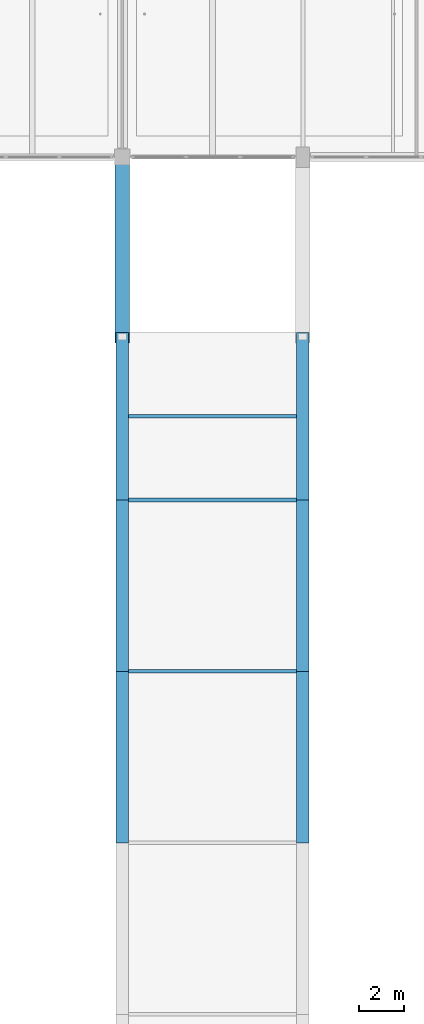
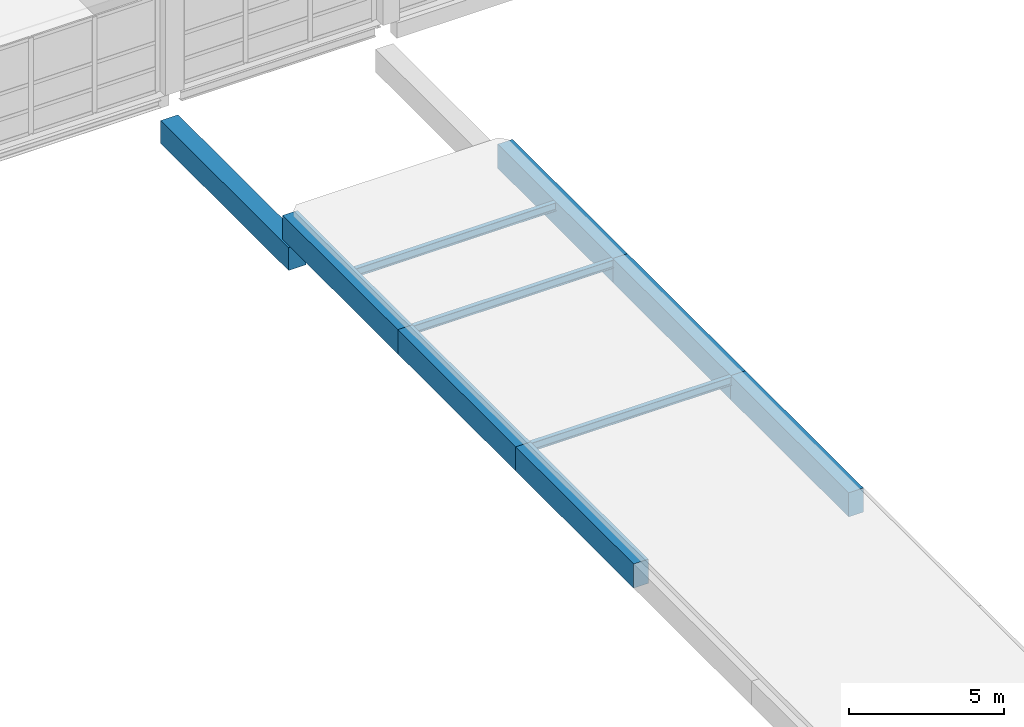
# One storey, part 50 of 107: 10 beams.
"""IFC4 building model written with IfcOpenShell, lengths in metres."""

import ifcopenshell
import ifcopenshell.guid

model = None  # the IFC model being written
_history = None  # IfcOwnerHistory: only IFC2X3 demands one
_inside = {}  # id of a spatial element -> (the spatial element, [elements in it])
_under = {}  # id of a project, library or spatial element -> (it, [spatial elements below it])
_declared = {}  # id of a project -> (the project, [libraries it declares])
_typed = {}  # id of a type object -> (the type object, [elements of that type])
_made_of = {}  # id of a material, layer set ... -> (it, [elements and type objects made of it])


def new_model(schema):
    """Start an empty IFC model of exactly this schema.

    Asked for "IFC4X3", IfcOpenShell would pick the latest addendum, in which some entities
    have other attributes; the version numbers below select the first issue.
    IFC2X3 requires an IfcOwnerHistory on every rooted entity: one is made here for all.
    """
    global model, _history
    if schema == "IFC4X3":
        model = ifcopenshell.file(schema_version=(4, 3, 0, 0))
    else:
        model = ifcopenshell.file(schema=schema)
    _inside.clear()
    _under.clear()
    _declared.clear()
    _typed.clear()
    _made_of.clear()
    _history = None
    if model.schema == "IFC2X3":
        org = make("IfcOrganization", Name="unknown")
        user = make(
            "IfcPersonAndOrganization",
            ThePerson=make("IfcPerson", FamilyName="unknown"),
            TheOrganization=org,
        )
        app = make(
            "IfcApplication",
            ApplicationDeveloper=org,
            Version="unknown",
            ApplicationFullName="unknown",
            ApplicationIdentifier="unknown",
        )
        _history = make(
            "IfcOwnerHistory",
            OwningUser=user,
            OwningApplication=app,
            ChangeAction="ADDED",
            CreationDate=0,
        )
    return model


def make(cls, **values):
    """One entity of the class cls with the attributes given. An attribute that is None is left unset."""
    return model.create_entity(
        cls, **{name: value for name, value in values.items() if value is not None}
    )


def rooted(cls, **values):
    """An entity with a GlobalId (a new one), such as an element, a storey or a relation."""
    return make(cls, GlobalId=ifcopenshell.guid.new(), OwnerHistory=_history, **values)


def si_unit(unit_type, name, prefix=None):
    """IfcSIUnit, for example si_unit("LENGTHUNIT", "METRE", prefix="MILLI")."""
    return make("IfcSIUnit", UnitType=unit_type, Prefix=prefix, Name=name)


def assignment(units):
    """IfcUnitAssignment: the units of a project."""
    return None if units is None else make("IfcUnitAssignment", Units=units)


def point(xyz):
    """IfcCartesianPoint."""
    return None if xyz is None else make("IfcCartesianPoint", Coordinates=xyz)


def direction(xyz):
    """IfcDirection."""
    return None if xyz is None else make("IfcDirection", DirectionRatios=xyz)


def frame(location, z_axis=None, x_axis=None):
    """IfcAxis2Placement3D, a coordinate frame: its origin and axes. An axis left out is left unset."""
    return make(
        "IfcAxis2Placement3D",
        Location=point(location),
        Axis=direction(z_axis),
        RefDirection=direction(x_axis),
    )


def frame_2d(location, x_axis=None):
    """IfcAxis2Placement2D, a coordinate frame in the plane: its origin and x axis."""
    return make(
        "IfcAxis2Placement2D", Location=point(location), RefDirection=direction(x_axis)
    )


def origin():
    """The frame at (0, 0, 0) with its axes left unset."""
    return frame((0.0, 0.0, 0.0))


def origin_2d():
    """The frame at (0, 0) in the plane with its x axis left unset."""
    return frame_2d((0.0, 0.0))


def place(relative_to, where):
    """IfcLocalPlacement: puts the frame where relative to a parent placement (None: the world)."""
    return make(
        "IfcLocalPlacement", PlacementRelTo=relative_to, RelativePlacement=where
    )


def context(
    kind, dimensions, precision=None, world=None, true_north=None, identifier=None
):
    """IfcGeometricRepresentationContext, for example the 3D "Model" context."""
    return make(
        "IfcGeometricRepresentationContext",
        ContextIdentifier=identifier,
        ContextType=kind,
        CoordinateSpaceDimension=dimensions,
        Precision=precision,
        WorldCoordinateSystem=world,
        TrueNorth=true_north,
    )


def subcontext(parent, identifier, kind, view, scale=None):
    """IfcGeometricRepresentationSubContext, for example "Body" below "Model"."""
    return make(
        "IfcGeometricRepresentationSubContext",
        ContextIdentifier=identifier,
        ContextType=kind,
        ParentContext=parent,
        TargetScale=scale,
        TargetView=view,
    )


def project(units=None, contexts=None):
    """IfcProject with its units and contexts."""
    return rooted(
        "IfcProject",
        Name="project",
        RepresentationContexts=contexts,
        UnitsInContext=assignment(units),
    )


def spatial(cls, under=None, at=None, **own):
    """A site, building, storey or space (cls), placed at a placement, below another one or the project."""
    s = rooted(cls, ObjectPlacement=at, **own)
    if under is not None:
        _under.setdefault(under.id(), (under, []))[1].append(s)
    return s


def profile(cls, at=None, kind="AREA", **sizes):
    """A parametric profile (cls). Its sizes go by their IFC names, for example OverallWidth=200.0."""
    return make(cls, ProfileType=kind, Position=at, **sizes)


def rectangle(**sizes):
    """IfcRectangleProfileDef."""
    return profile("IfcRectangleProfileDef", **sizes)


def i_section(**sizes):
    """IfcIShapeProfileDef."""
    return profile("IfcIShapeProfileDef", **sizes)


def extrude(swept, where, along, depth):
    """IfcExtrudedAreaSolid: the profile swept, set in the frame where, extruded along a direction by depth."""
    return make(
        "IfcExtrudedAreaSolid",
        SweptArea=swept,
        Position=where,
        ExtrudedDirection=direction(along),
        Depth=depth,
    )


def shape(context_of_items, identifier, shape_type, items):
    """IfcShapeRepresentation: the items that make up one representation, for example the "Body"."""
    return make(
        "IfcShapeRepresentation",
        ContextOfItems=context_of_items,
        RepresentationIdentifier=identifier,
        RepresentationType=shape_type,
        Items=items,
    )


def material(Name=None, Category=None):
    """IfcMaterial."""
    return make("IfcMaterial", Name=Name, Category=Category)


def material_profile(
    of_material, cross_section, Name=None, Category=None, Priority=None
):
    """IfcMaterialProfile: a cross section and its material."""
    return make(
        "IfcMaterialProfile",
        Name=Name,
        Material=of_material,
        Profile=cross_section,
        Priority=Priority,
        Category=Category,
    )


def profile_set(profiles, Name=None, composite=None):
    """IfcMaterialProfileSet."""
    return make(
        "IfcMaterialProfileSet",
        Name=Name,
        MaterialProfiles=profiles,
        CompositeProfile=composite,
    )


def made_of(thing, what):
    """Note that an element or type object is made of a material, layer set ...; save() writes the relation."""
    if what is not None:
        _made_of.setdefault(what.id(), (what, []))[1].append(thing)
    return thing


def type_object(cls, material=None, **own):
    """A type object (cls), such as IfcWallType, which elements share."""
    return made_of(rooted(cls, **own), material)


def element(
    cls,
    number,
    at=None,
    inside=None,
    cuts=None,
    type_object=None,
    material=None,
    context=None,
    identifier="Body",
    shape_type=None,
    held_by="IfcProductDefinitionShape",
    body=None,
    shapes=None,
    **own,
):
    """One element of the class cls, such as IfcWall. Its Tag is "e" and its number.

    at: its placement. inside: the storey or other place that contains it. cuts: it is an
    opening in that element (IfcRelVoidsElement). A single representation is given by context,
    identifier, shape_type and body (its items); several are given by shapes. held_by: the class
    of the entity that holds the representations. save() writes the other relations.
    """
    e = rooted(cls, Tag="e%d" % number, ObjectPlacement=at, **own)
    if body is not None:
        shapes = [shape(context, identifier, shape_type, body)]
    if shapes is not None:
        e.Representation = make(held_by, Representations=shapes)
    if inside is not None:
        _inside.setdefault(inside.id(), (inside, []))[1].append(e)
    if cuts is not None:
        rooted(
            "IfcRelVoidsElement", RelatingBuildingElement=cuts, RelatedOpeningElement=e
        )
    if type_object is not None:
        _typed.setdefault(type_object.id(), (type_object, []))[1].append(e)
    return made_of(e, material)


def aggregate(whole, parts):
    """IfcRelAggregates: a whole, such as a stair, and the parts it consists of."""
    return rooted("IfcRelAggregates", RelatingObject=whole, RelatedObjects=parts)


def save(model, path):
    """Write the relations noted so far, then the file.

    IfcRelAggregates (storeys below a building ...), IfcRelContainedInSpatialStructure (elements
    in a storey), IfcRelDefinesByType, IfcRelAssociatesMaterial and IfcRelDeclares: one each for
    every whole, place, type object, material and project.
    """
    for whole, parts in _under.values():
        aggregate(whole, parts)
    for where, things in _inside.values():
        rooted(
            "IfcRelContainedInSpatialStructure",
            RelatedElements=things,
            RelatingStructure=where,
        )
    for kind, things in _typed.values():
        rooted("IfcRelDefinesByType", RelatedObjects=things, RelatingType=kind)
    for what, things in _made_of.values():
        rooted("IfcRelAssociatesMaterial", RelatedObjects=things, RelatingMaterial=what)
    for by, libraries in _declared.values():
        rooted("IfcRelDeclares", RelatingContext=by, RelatedDefinitions=libraries)
    model.write(path)


model = new_model("IFC4")

# Units and contexts
model_context = context("Model", 3, precision=1e-05, world=origin(), true_north=direction((0.0, 1.0)))
body_context = subcontext(model_context, "Body", "Model", "MODEL_VIEW")
ifc_project = project(units=[si_unit("LENGTHUNIT", "METRE"), si_unit("AREAUNIT", "SQUARE_METRE"), si_unit("VOLUMEUNIT", "CUBIC_METRE"), si_unit("PLANEANGLEUNIT", "RADIAN"), si_unit("MASSUNIT", "GRAM", prefix="KILO")], contexts=[model_context])

# Site, building, storey
site_placement = place(None, origin())
site = spatial("IfcSite", under=ifc_project, at=site_placement, CompositionType="ELEMENT")
building_placement = place(site_placement, origin())
building = spatial("IfcBuilding", under=site, at=building_placement, Name="Khelvaren Railside Concert Hall", CompositionType="ELEMENT")
storey_placement = place(building_placement, frame((0.0, 0.0, 15.0)))
storey = spatial("IfcBuildingStorey", under=building, at=storey_placement, Name="L03", CompositionType="ELEMENT", Elevation=15.0)

# Beams
ifc_material_1 = material(Name="Concrete C40/50", Category="concrete")
ifc_material_profile_1 = material_profile(ifc_material_1, rectangle(XDim=0.64990234375, YDim=0.89990234375, at=origin_2d()), Name="RCB 650x900")
ifc_profile_set_1 = profile_set([ifc_material_profile_1], Name="Concrete C40/50")
beam_type_1 = type_object("IfcBeamType", Name="BM18", PredefinedType="BEAM", material=ifc_profile_set_1)
beam_1_placement = place(storey_placement, frame((160.0, 82.949951171875, -1.639892578125), z_axis=(0.0, 1.0, 0.0), x_axis=(-1.0, 0.0, 0.0)))
element("IfcBeam", 1, at=beam_1_placement, inside=storey, type_object=beam_type_1, Name="East Backstage Artist Link Bridge L03 Seismic Corbel Seat 1", PredefinedType="BEAM", context=body_context, shape_type="SweptSolid", body=[
    extrude(rectangle(XDim=0.64990234375, YDim=0.89990234375, at=origin_2d()), origin(), (0.0, 0.0, 1.0), 8.25),
])
ifc_material_profile_2 = material_profile(ifc_material_1, rectangle(XDim=0.550048828125, YDim=0.949951171875, at=origin_2d()), Name="RCB 550x950")
ifc_profile_set_2 = profile_set([ifc_material_profile_2], Name="Concrete C40/50")
beam_type_2 = type_object("IfcBeamType", Name="GR75", PredefinedType="T_BEAM", material=ifc_profile_set_2)
beam_2_placement = place(storey_placement, frame((160.0, 60.800048828125, -0.695068359375), z_axis=(0.0, 1.0, 0.0), x_axis=(-1.0, 0.0, 0.0)))
element("IfcBeam", 2, at=beam_2_placement, inside=storey, type_object=beam_type_2, Name="East Backstage Artist Link Bridge L03 Bridge Girder 1.4", PredefinedType="T_BEAM", context=body_context, shape_type="SweptSolid", body=[
    extrude(rectangle(XDim=0.550048828125, YDim=0.949951171875, at=origin_2d()), origin(), (0.0, 0.0, 1.0), 7.599853515625),
])
beam_3_placement = place(storey_placement, frame((160.0, 68.39990234375, -0.695068359375), z_axis=(0.0, 1.0, 0.0), x_axis=(-1.0, 0.0, 0.0)))
element("IfcBeam", 3, at=beam_3_placement, inside=storey, type_object=beam_type_2, Name="East Backstage Artist Link Bridge L03 Bridge Girder 1.5", PredefinedType="T_BEAM", context=body_context, shape_type="SweptSolid", body=[
    extrude(rectangle(XDim=0.550048828125, YDim=0.949951171875, at=origin_2d()), origin(), (0.0, 0.0, 1.0), 7.60009765625),
])
beam_4_placement = place(storey_placement, frame((160.0, 76.0, -0.695068359375), z_axis=(0.0, 1.0, 0.0), x_axis=(-1.0, 0.0, 0.0)))
element("IfcBeam", 4, at=beam_4_placement, inside=storey, type_object=beam_type_2, Name="East Backstage Artist Link Bridge L03 Bridge Girder 1.6", PredefinedType="T_BEAM", context=body_context, shape_type="SweptSolid", body=[
    extrude(rectangle(XDim=0.550048828125, YDim=0.949951171875, at=origin_2d()), origin(), (0.0, 0.0, 1.0), 7.419921875),
])
beam_5_placement = place(storey_placement, frame((168.0, 60.800048828125, -0.695068359375), z_axis=(0.0, 1.0, 0.0), x_axis=(-1.0, 0.0, 0.0)))
element("IfcBeam", 5, at=beam_5_placement, inside=storey, type_object=beam_type_2, Name="East Backstage Artist Link Bridge L03 Bridge Girder 2.4", PredefinedType="T_BEAM", context=body_context, shape_type="SweptSolid", body=[
    extrude(rectangle(XDim=0.550048828125, YDim=0.949951171875, at=origin_2d()), origin(), (0.0, 0.0, 1.0), 7.599853515625),
])
beam_6_placement = place(storey_placement, frame((168.0, 68.39990234375, -0.695068359375), z_axis=(0.0, 1.0, 0.0), x_axis=(-1.0, 0.0, 0.0)))
element("IfcBeam", 6, at=beam_6_placement, inside=storey, type_object=beam_type_2, Name="East Backstage Artist Link Bridge L03 Bridge Girder 2.5", PredefinedType="T_BEAM", context=body_context, shape_type="SweptSolid", body=[
    extrude(rectangle(XDim=0.550048828125, YDim=0.949951171875, at=origin_2d()), origin(), (0.0, 0.0, 1.0), 7.60009765625),
])
beam_7_placement = place(storey_placement, frame((168.0, 76.0, -0.695068359375), z_axis=(0.0, 1.0, 0.0), x_axis=(-1.0, 0.0, 0.0)))
element("IfcBeam", 7, at=beam_7_placement, inside=storey, type_object=beam_type_2, Name="East Backstage Artist Link Bridge L03 Bridge Girder 2.6", PredefinedType="T_BEAM", context=body_context, shape_type="SweptSolid", body=[
    extrude(rectangle(XDim=0.550048828125, YDim=0.949951171875, at=origin_2d()), origin(), (0.0, 0.0, 1.0), 7.419921875),
])
ifc_material_2 = material(Name="Steel S355", Category="steel")
ifc_material_profile_3 = material_profile(ifc_material_2, i_section(OverallWidth=0.159912109375, OverallDepth=0.330078125, WebThickness=0.007568359375, FlangeThickness=0.011474609375, FilletRadius=0.01806640625, at=origin_2d()), Name="IPE 330")
ifc_profile_set_3 = profile_set([ifc_material_profile_3], Name="Steel S355")
beam_type_3 = type_object("IfcBeamType", Name="JS65", PredefinedType="JOIST", material=ifc_profile_set_3)
for number, where, z_axis, x_axis, name in (
    (8, (160.27490234375, 68.39990234375, -0.385009765625), (1.0, 0.0, 0.0), (0.0, 1.0, 0.0), "East Backstage Artist Link Bridge L03 Bridge Cross Joist 4"),
    (9, (160.27490234375, 76.0, -0.385009765625), (1.0, 0.0, 0.0), (0.0, 1.0, 0.0), "East Backstage Artist Link Bridge L03 Bridge Cross Joist 5"),
    (10, (160.27490234375, 79.7099609375, -0.385009765625), (1.0, 0.0, 0.0), (0.0, 1.0, 0.0), "East Backstage Artist Link Bridge L03 Bridge Cross Joist 7"),
):
    element("IfcBeam", number, at=place(storey_placement, frame(where, z_axis=z_axis, x_axis=x_axis)), inside=storey, type_object=beam_type_3, Name=name, PredefinedType="JOIST", context=body_context, shape_type="SweptSolid", body=[
        extrude(i_section(OverallWidth=0.159912109375, OverallDepth=0.330078125, WebThickness=0.007568359375, FlangeThickness=0.011474609375, FilletRadius=0.01806640625, at=origin_2d()), origin(), (0.0, 0.0, 1.0), 7.4501953125),
    ])

save(model, "model.ifc")
